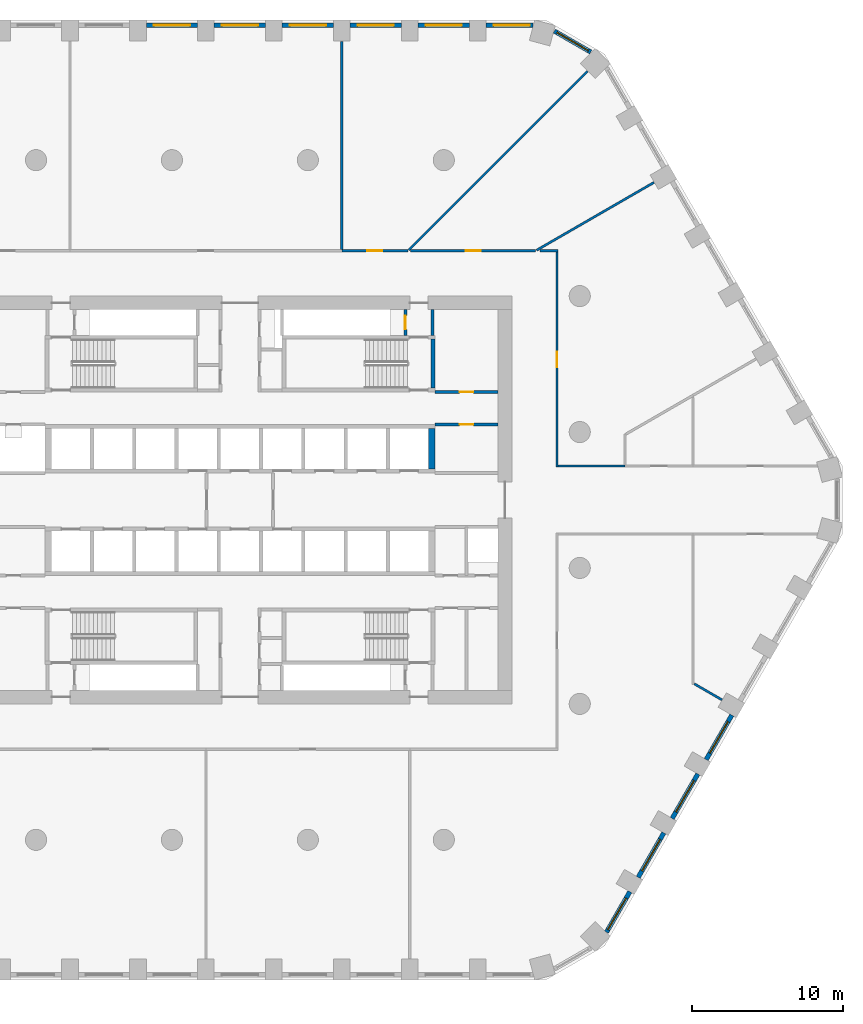
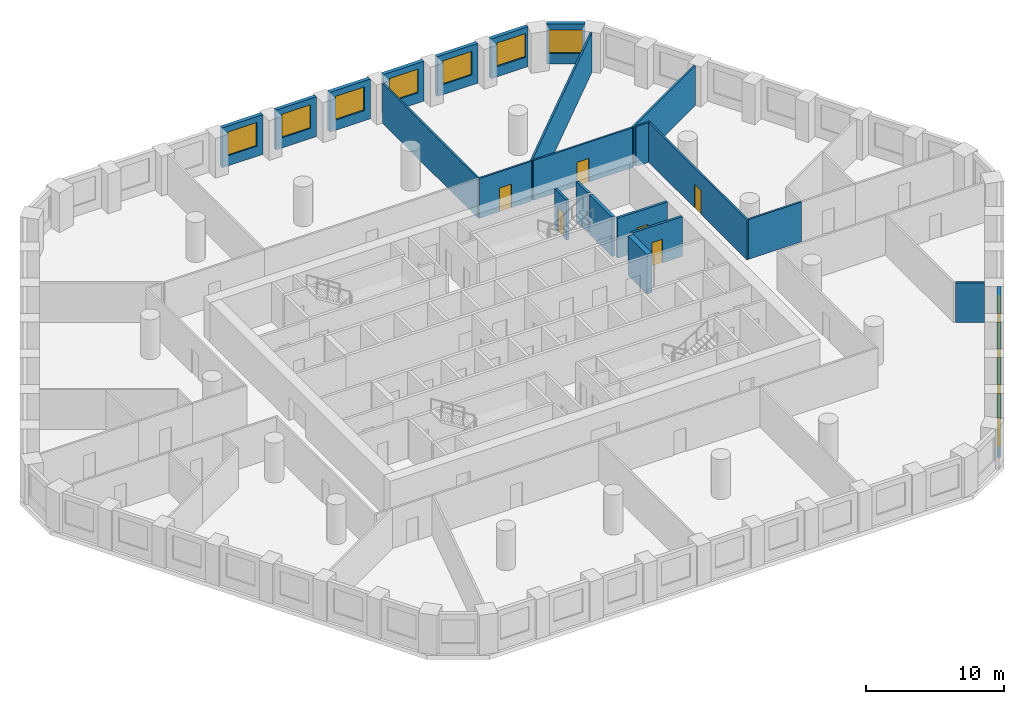
# One storey, part 7 of 10: 26 walls, 11 windows, 6 doors, 17 openings.
"""IFC4 building model written with IfcOpenShell, lengths in metres."""

from ifc_helpers import new_model, si_unit, direction, frame, frame_2d, origin, place, context, subcontext, project, spatial, polyline, rectangle, outline, extrude, material, layer, layer_set, type_object, element, fill, save


model = new_model("IFC4")

# Units and contexts
model_context = context("Model", 3, precision=1e-05, world=origin(), true_north=direction((0.0, 1.0)))
body_context = subcontext(model_context, "Body", "Model", "MODEL_VIEW")
ifc_project = project(units=[si_unit("LENGTHUNIT", "METRE"), si_unit("AREAUNIT", "SQUARE_METRE"), si_unit("VOLUMEUNIT", "CUBIC_METRE"), si_unit("PLANEANGLEUNIT", "RADIAN"), si_unit("MASSUNIT", "GRAM", prefix="KILO")], contexts=[model_context])

# Site, building, storey
site_placement = place(None, origin())
site = spatial("IfcSite", under=ifc_project, at=site_placement, CompositionType="ELEMENT")
building_placement = place(site_placement, origin())
building = spatial("IfcBuilding", under=site, at=building_placement, Name="Dhurran Vertical Campus", CompositionType="ELEMENT")
storey_placement = place(building_placement, frame((0.0, 0.0, 37.800048828125)))
storey = spatial("IfcBuildingStorey", under=building, at=storey_placement, Name="L08", CompositionType="ELEMENT", Elevation=37.800048828125)

# Wall, opening, window
ifc_material_1 = material(Name="Precast concrete C50/60", Category="concrete")
ifc_layer_1 = layer(ifc_material_1, 0.300048828125)
ifc_layer_set_1 = layer_set([ifc_layer_1], Name="Precast concrete C50/60")
wall_type_1 = type_object("IfcWallType", Name="Precast spandrel wall 300", PredefinedType="SOLIDWALL", material=ifc_layer_set_1)
wall_1_placement = place(storey_placement, frame((24.2734375, -28.611083984375, 0.0), z_axis=(0.0, 0.0, 1.0), x_axis=(0.499995950774, 0.866027741594, 0.0)))
wall_1 = element("IfcWall", 1, at=wall_1_placement, inside=storey, type_object=wall_type_1, Name="EW1 L08.10", PredefinedType="SOLIDWALL", context=body_context, shape_type="SweptSolid", body=[
    extrude(rectangle(XDim=3.0908203125, YDim=0.300048828125, at=frame_2d((1.54541015625, 0.0))), origin(), (0.0, 0.0, 1.0), 3.52490234375),
])
opening_1_placement = place(wall_1_placement, frame((0.191162109375, 0.0, 0.89990234375)))
opening_1 = element("IfcOpeningElement", 2, at=opening_1_placement, cuts=wall_1, Name="Opening WT1", PredefinedType="OPENING", context=body_context, shape_type="SweptSolid", body=[
    extrude(rectangle(XDim=2.39990234375, YDim=2.10009765625, at=frame_2d((1.199951171875, 1.050048828125))), frame((0.0, 0.159912109375, 0.0), z_axis=(0.0, -1.0, 0.0), x_axis=(1.0, 0.0, 0.0)), (0.0, 0.0, 1.0), 0.320068359375),
])
ifc_material_2 = material(Name="Aluminium frame with solar-control glass", Category="aluminium")
window_type = type_object("IfcWindowType", Name="Punched window 2400 x 2100", PartitioningType="SINGLE_PANEL", PredefinedType="WINDOW", material=ifc_material_2)
window_1_placement = place(opening_1_placement, origin())
window_1 = element("IfcWindow", 3, at=window_1_placement, inside=storey, type_object=window_type, Name="WT1 L08.10", OverallHeight=2.10009765625, OverallWidth=2.39990234375, PartitioningType="SINGLE_PANEL", PredefinedType="WINDOW", context=body_context, shape_type="SweptSolid", body=[
    extrude(rectangle(XDim=2.39990234375, YDim=2.10009765625, at=frame_2d((1.199951171875, 1.050048828125))), frame((0.0, 0.030029296875, 0.0), z_axis=(0.0, -1.0, 0.0), x_axis=(1.0, 0.0, 0.0)), (0.0, 0.0, 1.0), 0.06005859375),
])
fill(opening_1, window_1)

wall_2_placement = place(storey_placement, frame((26.369384765625, -24.98095703125, 0.0), z_axis=(0.0, 0.0, 1.0), x_axis=(0.499993955907, 0.866028893315, 0.0)))
wall_2 = element("IfcWall", 4, at=wall_2_placement, inside=storey, type_object=wall_type_1, Name="EW1 L08.11", PredefinedType="SOLIDWALL", context=body_context, shape_type="SweptSolid", body=[
    extrude(rectangle(XDim=3.39892578125, YDim=0.300048828125, at=frame_2d((1.699462890625, 0.0))), origin(), (0.0, 0.0, 1.0), 3.52490234375),
])
opening_2_placement = place(wall_2_placement, frame((0.49951171875, 0.0, 0.89990234375)))
opening_2 = element("IfcOpeningElement", 5, at=opening_2_placement, cuts=wall_2, Name="Opening WT1", PredefinedType="OPENING", context=body_context, shape_type="SweptSolid", body=[
    extrude(rectangle(XDim=2.39990234375, YDim=2.10009765625, at=frame_2d((1.199951171875, 1.050048828125))), frame((0.0, 0.159912109375, 0.0), z_axis=(0.0, -1.0, 0.0), x_axis=(1.0, 0.0, 0.0)), (0.0, 0.0, 1.0), 0.320068359375),
])
window_2_placement = place(opening_2_placement, origin())
window_2 = element("IfcWindow", 6, at=window_2_placement, inside=storey, type_object=window_type, Name="WT1 L08.11", OverallHeight=2.10009765625, OverallWidth=2.39990234375, PartitioningType="SINGLE_PANEL", PredefinedType="WINDOW", context=body_context, shape_type="SweptSolid", body=[
    extrude(rectangle(XDim=2.39990234375, YDim=2.10009765625, at=frame_2d((1.199951171875, 1.050048828125))), frame((0.0, 0.030029296875, 0.0), z_axis=(0.0, -1.0, 0.0), x_axis=(1.0, 0.0, 0.0)), (0.0, 0.0, 1.0), 0.06005859375),
])
fill(opening_2, window_2)

wall_3_placement = place(storey_placement, frame((28.619384765625, -21.083740234375, 0.0), z_axis=(0.0, 0.0, 1.0), x_axis=(0.499993955907, 0.866028893315, 0.0)))
wall_3 = element("IfcWall", 7, at=wall_3_placement, inside=storey, type_object=wall_type_1, Name="EW1 L08.12", PredefinedType="SOLIDWALL", context=body_context, shape_type="SweptSolid", body=[
    extrude(rectangle(XDim=3.39892578125, YDim=0.300048828125, at=frame_2d((1.699462890625, 0.0))), origin(), (0.0, 0.0, 1.0), 3.52490234375),
])
opening_3_placement = place(wall_3_placement, frame((0.49951171875, 0.0, 0.89990234375)))
opening_3 = element("IfcOpeningElement", 8, at=opening_3_placement, cuts=wall_3, Name="Opening WT1", PredefinedType="OPENING", context=body_context, shape_type="SweptSolid", body=[
    extrude(rectangle(XDim=2.39990234375, YDim=2.10009765625, at=frame_2d((1.199951171875, 1.050048828125))), frame((0.0, 0.159912109375, 0.0), z_axis=(0.0, -1.0, 0.0), x_axis=(1.0, 0.0, 0.0)), (0.0, 0.0, 1.0), 0.320068359375),
])
window_3_placement = place(opening_3_placement, origin())
window_3 = element("IfcWindow", 9, at=window_3_placement, inside=storey, type_object=window_type, Name="WT1 L08.12", OverallHeight=2.10009765625, OverallWidth=2.39990234375, PartitioningType="SINGLE_PANEL", PredefinedType="WINDOW", context=body_context, shape_type="SweptSolid", body=[
    extrude(rectangle(XDim=2.39990234375, YDim=2.10009765625, at=frame_2d((1.199951171875, 1.050048828125))), frame((0.0, 0.030029296875, 0.0), z_axis=(0.0, -1.0, 0.0), x_axis=(1.0, 0.0, 0.0)), (0.0, 0.0, 1.0), 0.06005859375),
])
fill(opening_3, window_3)

wall_4_placement = place(storey_placement, frame((30.869384765625, -17.186767578125, 0.0), z_axis=(0.0, 0.0, 1.0), x_axis=(0.499993955907, 0.866028893315, 0.0)))
wall_4 = element("IfcWall", 10, at=wall_4_placement, inside=storey, type_object=wall_type_1, Name="EW1 L08.13", PredefinedType="SOLIDWALL", context=body_context, shape_type="SweptSolid", body=[
    extrude(rectangle(XDim=3.39892578125, YDim=0.300048828125, at=frame_2d((1.699462890625, 0.0))), origin(), (0.0, 0.0, 1.0), 3.52490234375),
])
opening_4_placement = place(wall_4_placement, frame((0.49951171875, 0.0, 0.89990234375)))
opening_4 = element("IfcOpeningElement", 11, at=opening_4_placement, cuts=wall_4, Name="Opening WT1", PredefinedType="OPENING", context=body_context, shape_type="SweptSolid", body=[
    extrude(rectangle(XDim=2.39990234375, YDim=2.10009765625, at=frame_2d((1.199951171875, 1.050048828125))), frame((0.0, 0.159912109375, 0.0), z_axis=(0.0, -1.0, 0.0), x_axis=(1.0, 0.0, 0.0)), (0.0, 0.0, 1.0), 0.320068359375),
])
window_4_placement = place(opening_4_placement, origin())
window_4 = element("IfcWindow", 12, at=window_4_placement, inside=storey, type_object=window_type, Name="WT1 L08.13", OverallHeight=2.10009765625, OverallWidth=2.39990234375, PartitioningType="SINGLE_PANEL", PredefinedType="WINDOW", context=body_context, shape_type="SweptSolid", body=[
    extrude(rectangle(XDim=2.39990234375, YDim=2.10009765625, at=frame_2d((1.199951171875, 1.050048828125))), frame((0.0, 0.030029296875, 0.0), z_axis=(0.0, -1.0, 0.0), x_axis=(1.0, 0.0, 0.0)), (0.0, 0.0, 1.0), 0.06005859375),
])
fill(opening_4, window_4)

wall_5_placement = place(storey_placement, frame((23.228271484375, 29.656005859375, 0.0), z_axis=(0.0, 0.0, 1.0), x_axis=(-0.866020456713, 0.500008568482, 0.0)))
wall_5 = element("IfcWall", 13, at=wall_5_placement, inside=storey, type_object=wall_type_1, Name="EW1 L08.25", PredefinedType="SOLIDWALL", context=body_context, shape_type="SweptSolid", body=[
    extrude(rectangle(XDim=2.7822265625, YDim=0.300048828125, at=frame_2d((1.39111328125, 0.0))), origin(), (0.0, 0.0, 1.0), 3.52490234375),
])
opening_5_placement = place(wall_5_placement, frame((0.191162109375, 0.0, 0.89990234375)))
opening_5 = element("IfcOpeningElement", 14, at=opening_5_placement, cuts=wall_5, Name="Opening WT1", PredefinedType="OPENING", context=body_context, shape_type="SweptSolid", body=[
    extrude(rectangle(XDim=2.39990234375, YDim=2.10009765625, at=frame_2d((1.199951171875, 1.050048828125))), frame((0.0, 0.159912109375, 0.0), z_axis=(0.0, -1.0, 0.0), x_axis=(1.0, 0.0, 0.0)), (0.0, 0.0, 1.0), 0.320068359375),
])
window_5_placement = place(opening_5_placement, origin())
window_5 = element("IfcWindow", 15, at=window_5_placement, inside=storey, type_object=window_type, Name="WT1 L08.25", OverallHeight=2.10009765625, OverallWidth=2.39990234375, PartitioningType="SINGLE_PANEL", PredefinedType="WINDOW", context=body_context, shape_type="SweptSolid", body=[
    extrude(rectangle(XDim=2.39990234375, YDim=2.10009765625, at=frame_2d((1.199951171875, 1.050048828125))), frame((0.0, 0.030029296875, 0.0), z_axis=(0.0, -1.0, 0.0), x_axis=(1.0, 0.0, 0.0)), (0.0, 0.0, 1.0), 0.06005859375),
])
fill(opening_5, window_5)

wall_6_placement = place(storey_placement, frame((19.39111328125, 31.4296875, 0.0), z_axis=(0.0, 0.0, 1.0), x_axis=(-1.0, 0.0, 0.0)))
wall_6 = element("IfcWall", 16, at=wall_6_placement, inside=storey, type_object=wall_type_1, Name="EW1 L08.26", PredefinedType="SOLIDWALL", context=body_context, shape_type="SweptSolid", body=[
    extrude(rectangle(XDim=3.090576171875, YDim=0.300048828125, at=frame_2d((1.54541015625, 0.0))), origin(), (0.0, 0.0, 1.0), 3.52490234375),
])
opening_6_placement = place(wall_6_placement, frame((0.191162109375, 0.0, 0.89990234375)))
opening_6 = element("IfcOpeningElement", 17, at=opening_6_placement, cuts=wall_6, Name="Opening WT1", PredefinedType="OPENING", context=body_context, shape_type="SweptSolid", body=[
    extrude(rectangle(XDim=2.39990234375, YDim=2.10009765625, at=frame_2d((1.199951171875, 1.050048828125))), frame((0.0, 0.159912109375, 0.0), z_axis=(0.0, -1.0, 0.0), x_axis=(1.0, 0.0, 0.0)), (0.0, 0.0, 1.0), 0.320068359375),
])
window_6_placement = place(opening_6_placement, origin())
window_6 = element("IfcWindow", 18, at=window_6_placement, inside=storey, type_object=window_type, Name="WT1 L08.26", OverallHeight=2.10009765625, OverallWidth=2.39990234375, PartitioningType="SINGLE_PANEL", PredefinedType="WINDOW", context=body_context, shape_type="SweptSolid", body=[
    extrude(rectangle(XDim=2.39990234375, YDim=2.10009765625, at=frame_2d((1.199951171875, 1.050048828125))), frame((0.0, 0.030029296875, 0.0), z_axis=(0.0, -1.0, 0.0), x_axis=(1.0, 0.0, 0.0)), (0.0, 0.0, 1.0), 0.06005859375),
])
fill(opening_6, window_6)

wall_7_placement = place(storey_placement, frame((15.199462890625, 31.4296875, 0.0), z_axis=(0.0, 0.0, 1.0), x_axis=(-1.0, 0.0, 0.0)))
wall_7 = element("IfcWall", 19, at=wall_7_placement, inside=storey, type_object=wall_type_1, Name="EW1 L08.27", PredefinedType="SOLIDWALL", context=body_context, shape_type="SweptSolid", body=[
    extrude(rectangle(XDim=3.39892578125, YDim=0.300048828125, at=frame_2d((1.699462890625, 0.0))), origin(), (0.0, 0.0, 1.0), 3.52490234375),
])
opening_7_placement = place(wall_7_placement, frame((0.49951171875, 0.0, 0.89990234375)))
opening_7 = element("IfcOpeningElement", 20, at=opening_7_placement, cuts=wall_7, Name="Opening WT1", PredefinedType="OPENING", context=body_context, shape_type="SweptSolid", body=[
    extrude(rectangle(XDim=2.39990234375, YDim=2.10009765625, at=frame_2d((1.199951171875, 1.050048828125))), frame((0.0, 0.159912109375, 0.0), z_axis=(0.0, -1.0, 0.0), x_axis=(1.0, 0.0, 0.0)), (0.0, 0.0, 1.0), 0.320068359375),
])
window_7_placement = place(opening_7_placement, origin())
window_7 = element("IfcWindow", 21, at=window_7_placement, inside=storey, type_object=window_type, Name="WT1 L08.27", OverallHeight=2.10009765625, OverallWidth=2.39990234375, PartitioningType="SINGLE_PANEL", PredefinedType="WINDOW", context=body_context, shape_type="SweptSolid", body=[
    extrude(rectangle(XDim=2.39990234375, YDim=2.10009765625, at=frame_2d((1.199951171875, 1.050048828125))), frame((0.0, 0.030029296875, 0.0), z_axis=(0.0, -1.0, 0.0), x_axis=(1.0, 0.0, 0.0)), (0.0, 0.0, 1.0), 0.06005859375),
])
fill(opening_7, window_7)

wall_8_placement = place(storey_placement, frame((10.699462890625, 31.4296875, 0.0), z_axis=(0.0, 0.0, 1.0), x_axis=(-1.0, 0.0, 0.0)))
wall_8 = element("IfcWall", 22, at=wall_8_placement, inside=storey, type_object=wall_type_1, Name="EW1 L08.28", PredefinedType="SOLIDWALL", context=body_context, shape_type="SweptSolid", body=[
    extrude(rectangle(XDim=3.39892578125, YDim=0.300048828125, at=frame_2d((1.699462890625, 0.0))), origin(), (0.0, 0.0, 1.0), 3.52490234375),
])
opening_8_placement = place(wall_8_placement, frame((0.49951171875, 0.0, 0.89990234375)))
opening_8 = element("IfcOpeningElement", 23, at=opening_8_placement, cuts=wall_8, Name="Opening WT1", PredefinedType="OPENING", context=body_context, shape_type="SweptSolid", body=[
    extrude(rectangle(XDim=2.39990234375, YDim=2.10009765625, at=frame_2d((1.199951171875, 1.050048828125))), frame((0.0, 0.159912109375, 0.0), z_axis=(0.0, -1.0, 0.0), x_axis=(1.0, 0.0, 0.0)), (0.0, 0.0, 1.0), 0.320068359375),
])
window_8_placement = place(opening_8_placement, origin())
window_8 = element("IfcWindow", 24, at=window_8_placement, inside=storey, type_object=window_type, Name="WT1 L08.28", OverallHeight=2.10009765625, OverallWidth=2.39990234375, PartitioningType="SINGLE_PANEL", PredefinedType="WINDOW", context=body_context, shape_type="SweptSolid", body=[
    extrude(rectangle(XDim=2.39990234375, YDim=2.10009765625, at=frame_2d((1.199951171875, 1.050048828125))), frame((0.0, 0.030029296875, 0.0), z_axis=(0.0, -1.0, 0.0), x_axis=(1.0, 0.0, 0.0)), (0.0, 0.0, 1.0), 0.06005859375),
])
fill(opening_8, window_8)

wall_9_placement = place(storey_placement, frame((6.199462890625, 31.4296875, 0.0), z_axis=(0.0, 0.0, 1.0), x_axis=(-1.0, 0.0, 0.0)))
wall_9 = element("IfcWall", 25, at=wall_9_placement, inside=storey, type_object=wall_type_1, Name="EW1 L08.29", PredefinedType="SOLIDWALL", context=body_context, shape_type="SweptSolid", body=[
    extrude(rectangle(XDim=3.39892578125, YDim=0.300048828125, at=frame_2d((1.699462890625, 0.0))), origin(), (0.0, 0.0, 1.0), 3.52490234375),
])
opening_9_placement = place(wall_9_placement, frame((0.49951171875, 0.0, 0.89990234375)))
opening_9 = element("IfcOpeningElement", 26, at=opening_9_placement, cuts=wall_9, Name="Opening WT1", PredefinedType="OPENING", context=body_context, shape_type="SweptSolid", body=[
    extrude(rectangle(XDim=2.39990234375, YDim=2.10009765625, at=frame_2d((1.199951171875, 1.050048828125))), frame((0.0, 0.159912109375, 0.0), z_axis=(0.0, -1.0, 0.0), x_axis=(1.0, 0.0, 0.0)), (0.0, 0.0, 1.0), 0.320068359375),
])
window_9_placement = place(opening_9_placement, origin())
window_9 = element("IfcWindow", 27, at=window_9_placement, inside=storey, type_object=window_type, Name="WT1 L08.29", OverallHeight=2.10009765625, OverallWidth=2.39990234375, PartitioningType="SINGLE_PANEL", PredefinedType="WINDOW", context=body_context, shape_type="SweptSolid", body=[
    extrude(rectangle(XDim=2.39990234375, YDim=2.10009765625, at=frame_2d((1.199951171875, 1.050048828125))), frame((0.0, 0.030029296875, 0.0), z_axis=(0.0, -1.0, 0.0), x_axis=(1.0, 0.0, 0.0)), (0.0, 0.0, 1.0), 0.06005859375),
])
fill(opening_9, window_9)

wall_10_placement = place(storey_placement, frame((1.699462890625, 31.4296875, 0.0), z_axis=(0.0, 0.0, 1.0), x_axis=(-1.0, 0.0, 0.0)))
wall_10 = element("IfcWall", 28, at=wall_10_placement, inside=storey, type_object=wall_type_1, Name="EW1 L08.30", PredefinedType="SOLIDWALL", context=body_context, shape_type="SweptSolid", body=[
    extrude(rectangle(XDim=3.39892578125, YDim=0.300048828125, at=frame_2d((1.699462890625, 0.0))), origin(), (0.0, 0.0, 1.0), 3.52490234375),
])
opening_10_placement = place(wall_10_placement, frame((0.49951171875, 0.0, 0.89990234375)))
opening_10 = element("IfcOpeningElement", 29, at=opening_10_placement, cuts=wall_10, Name="Opening WT1", PredefinedType="OPENING", context=body_context, shape_type="SweptSolid", body=[
    extrude(rectangle(XDim=2.39990234375, YDim=2.10009765625, at=frame_2d((1.199951171875, 1.050048828125))), frame((0.0, 0.159912109375, 0.0), z_axis=(0.0, -1.0, 0.0), x_axis=(1.0, 0.0, 0.0)), (0.0, 0.0, 1.0), 0.320068359375),
])
window_10_placement = place(opening_10_placement, origin())
window_10 = element("IfcWindow", 30, at=window_10_placement, inside=storey, type_object=window_type, Name="WT1 L08.30", OverallHeight=2.10009765625, OverallWidth=2.39990234375, PartitioningType="SINGLE_PANEL", PredefinedType="WINDOW", context=body_context, shape_type="SweptSolid", body=[
    extrude(rectangle(XDim=2.39990234375, YDim=2.10009765625, at=frame_2d((1.199951171875, 1.050048828125))), frame((0.0, 0.030029296875, 0.0), z_axis=(0.0, -1.0, 0.0), x_axis=(1.0, 0.0, 0.0)), (0.0, 0.0, 1.0), 0.06005859375),
])
fill(opening_10, window_10)

wall_11_placement = place(storey_placement, frame((-2.800537109375, 31.4296875, 0.0), z_axis=(0.0, 0.0, 1.0), x_axis=(-1.0, 0.0, 0.0)))
wall_11 = element("IfcWall", 31, at=wall_11_placement, inside=storey, type_object=wall_type_1, Name="EW1 L08.31", PredefinedType="SOLIDWALL", context=body_context, shape_type="SweptSolid", body=[
    extrude(rectangle(XDim=3.39892578125, YDim=0.300048828125, at=frame_2d((1.699462890625, 0.0))), origin(), (0.0, 0.0, 1.0), 3.52490234375),
])
opening_11_placement = place(wall_11_placement, frame((0.49951171875, 0.0, 0.89990234375)))
opening_11 = element("IfcOpeningElement", 32, at=opening_11_placement, cuts=wall_11, Name="Opening WT1", PredefinedType="OPENING", context=body_context, shape_type="SweptSolid", body=[
    extrude(rectangle(XDim=2.39990234375, YDim=2.10009765625, at=frame_2d((1.199951171875, 1.050048828125))), frame((0.0, 0.159912109375, 0.0), z_axis=(0.0, -1.0, 0.0), x_axis=(1.0, 0.0, 0.0)), (0.0, 0.0, 1.0), 0.320068359375),
])
window_11_placement = place(opening_11_placement, origin())
window_11 = element("IfcWindow", 33, at=window_11_placement, inside=storey, type_object=window_type, Name="WT1 L08.31", OverallHeight=2.10009765625, OverallWidth=2.39990234375, PartitioningType="SINGLE_PANEL", PredefinedType="WINDOW", context=body_context, shape_type="SweptSolid", body=[
    extrude(rectangle(XDim=2.39990234375, YDim=2.10009765625, at=frame_2d((1.199951171875, 1.050048828125))), frame((0.0, 0.030029296875, 0.0), z_axis=(0.0, -1.0, 0.0), x_axis=(1.0, 0.0, 0.0)), (0.0, 0.0, 1.0), 0.06005859375),
])
fill(opening_11, window_11)

# Wall
ifc_material_3 = material(Name="Fire-rated masonry blockwork", Category="masonry")
ifc_layer_2 = layer(ifc_material_3, 0.199951171875)
ifc_layer_set_2 = layer_set([ifc_layer_2], Name="Fire-rated masonry blockwork")
wall_type_2 = type_object("IfcWallType", Name="co-FIRE-PARTITION-200", PredefinedType="PARTITIONING", material=ifc_layer_set_2)
wall_12_placement = place(storey_placement, frame((12.75, 10.89990234375, 0.0), z_axis=(0.0, 0.0, 1.0), x_axis=(0.0, 1.0, 0.0)))
element("IfcWall", 34, at=wall_12_placement, inside=storey, type_object=wall_type_2, Name="Core partition pass-ST2-o L08", PredefinedType="PARTITIONING", context=body_context, shape_type="SweptSolid", body=[
    extrude(rectangle(XDim=1.7001953125, YDim=0.199951171875, at=frame_2d((0.85009765625, 0.0))), origin(), (0.0, 0.0, 1.0), 3.52490234375),
])

# Wall, opening, door
wall_13_placement = place(storey_placement, frame((10.949951171875, 10.89990234375, 0.0), z_axis=(0.0, 0.0, 1.0), x_axis=(0.0, 1.0, 0.0)))
wall_13 = element("IfcWall", 35, at=wall_13_placement, inside=storey, type_object=wall_type_2, Name="Core partition pass-ST2-i L08", PredefinedType="PARTITIONING", context=body_context, shape_type="SweptSolid", body=[
    extrude(rectangle(XDim=1.7001953125, YDim=0.199951171875, at=frame_2d((0.85009765625, 0.0))), origin(), (0.0, 0.0, 1.0), 3.52490234375),
])
opening_12_placement = place(wall_13_placement, frame((0.39990234375, 0.0, 0.0)))
opening_12 = element("IfcOpeningElement", 36, at=opening_12_placement, cuts=wall_13, Name="Opening T01-C10", PredefinedType="OPENING", context=body_context, shape_type="SweptSolid", body=[
    extrude(rectangle(XDim=0.89990234375, YDim=2.10009765625, at=frame_2d((0.449951171875, 1.050048828125))), frame((0.0, 0.10986328125, 0.0), z_axis=(0.0, -1.0, 0.0), x_axis=(1.0, 0.0, 0.0)), (0.0, 0.0, 1.0), 0.219970703125),
])
ifc_material_4 = material(Name="Fire-rated timber door set", Category="wood")
door_type_1 = type_object("IfcDoorType", Name="co-D-ROOM 900x2100", OperationType="SINGLE_SWING_LEFT", PredefinedType="DOOR", material=ifc_material_4)
door_1_placement = place(opening_12_placement, origin())
door_1 = element("IfcDoor", 37, at=door_1_placement, inside=storey, type_object=door_type_1, Name="Riser room door L08", OperationType="SINGLE_SWING_LEFT", OverallHeight=2.10009765625, OverallWidth=0.89990234375, PredefinedType="DOOR", context=body_context, shape_type="SweptSolid", body=[
    extrude(rectangle(XDim=0.89990234375, YDim=2.10009765625, at=frame_2d((0.449951171875, 1.050048828125))), frame((0.0, 0.02490234375, 0.0), z_axis=(0.0, -1.0, 0.0), x_axis=(1.0, 0.0, 0.0)), (0.0, 0.0, 1.0), 0.050048828125),
])
fill(opening_12, door_1)

wall_14_placement = place(storey_placement, frame((12.89990234375, 7.14990234375, 0.0), z_axis=(0.0, 0.0, 1.0), x_axis=(1.0, 0.0, 0.0)))
wall_14 = element("IfcWall", 38, at=wall_14_placement, inside=storey, type_object=wall_type_2, Name="Core partition en-NE-w L08", PredefinedType="PARTITIONING", context=body_context, shape_type="SweptSolid", body=[
    extrude(rectangle(XDim=4.2001953125, YDim=0.199951171875, at=frame_2d((2.10009765625, 0.0))), origin(), (0.0, 0.0, 1.0), 3.52490234375),
])
opening_13_placement = place(wall_14_placement, frame((1.64990234375, 0.0, 0.0)))
opening_13 = element("IfcOpeningElement", 39, at=opening_13_placement, cuts=wall_14, Name="Opening T01-C15", PredefinedType="OPENING", context=body_context, shape_type="SweptSolid", body=[
    extrude(rectangle(XDim=0.89990234375, YDim=2.10009765625, at=frame_2d((0.449951171875, 1.050048828125))), frame((0.0, 0.10986328125, 0.0), z_axis=(0.0, -1.0, 0.0), x_axis=(1.0, 0.0, 0.0)), (0.0, 0.0, 1.0), 0.219970703125),
])
door_2_placement = place(opening_13_placement, origin())
door_2 = element("IfcDoor", 40, at=door_2_placement, inside=storey, type_object=door_type_1, Name="Plant room door L08", OperationType="SINGLE_SWING_LEFT", OverallHeight=2.10009765625, OverallWidth=0.89990234375, PredefinedType="DOOR", context=body_context, shape_type="SweptSolid", body=[
    extrude(rectangle(XDim=0.89990234375, YDim=2.10009765625, at=frame_2d((0.449951171875, 1.050048828125))), frame((0.0, 0.02490234375, 0.0), z_axis=(0.0, -1.0, 0.0), x_axis=(1.0, 0.0, 0.0)), (0.0, 0.0, 1.0), 0.050048828125),
])
fill(opening_13, door_2)

wall_15_placement = place(storey_placement, frame((12.89990234375, 5.0, 0.0), z_axis=(0.0, 0.0, 1.0), x_axis=(1.0, 0.0, 0.0)))
wall_15 = element("IfcWall", 41, at=wall_15_placement, inside=storey, type_object=wall_type_2, Name="Core partition es-NE-w L08", PredefinedType="PARTITIONING", context=body_context, shape_type="SweptSolid", body=[
    extrude(rectangle(XDim=4.2001953125, YDim=0.199951171875, at=frame_2d((2.10009765625, 0.0))), origin(), (0.0, 0.0, 1.0), 3.52490234375),
])
opening_14_placement = place(wall_15_placement, frame((1.64990234375, 0.0, 0.0)))
opening_14 = element("IfcOpeningElement", 42, at=opening_14_placement, cuts=wall_15, Name="Opening T01-C16", PredefinedType="OPENING", context=body_context, shape_type="SweptSolid", body=[
    extrude(rectangle(XDim=0.89990234375, YDim=2.10009765625, at=frame_2d((0.449951171875, 1.050048828125))), frame((0.0, 0.10986328125, 0.0), z_axis=(0.0, -1.0, 0.0), x_axis=(1.0, 0.0, 0.0)), (0.0, 0.0, 1.0), 0.219970703125),
])
door_3_placement = place(opening_14_placement, origin())
door_3 = element("IfcDoor", 43, at=door_3_placement, inside=storey, type_object=door_type_1, Name="Store door L08", OperationType="SINGLE_SWING_LEFT", OverallHeight=2.10009765625, OverallWidth=0.89990234375, PredefinedType="DOOR", context=body_context, shape_type="SweptSolid", body=[
    extrude(rectangle(XDim=0.89990234375, YDim=2.10009765625, at=frame_2d((0.449951171875, 1.050048828125))), frame((0.0, 0.02490234375, 0.0), z_axis=(0.0, -1.0, 0.0), x_axis=(1.0, 0.0, 0.0)), (0.0, 0.0, 1.0), 0.050048828125),
])
fill(opening_14, door_3)

# Walls
ifc_material_5 = material(Name="Concrete C50/60", Category="concrete")
ifc_layer_3 = layer(ifc_material_5, 0.25)
ifc_layer_set_3 = layer_set([ifc_layer_3], Name="Concrete C50/60")
wall_type_3 = type_object("IfcWallType", Name="co-SHAFT-MASS-250", PredefinedType="SHEAR", material=ifc_layer_set_3)
wall_16_placement = place(storey_placement, origin())
element("IfcWall", 44, at=wall_16_placement, inside=storey, type_object=wall_type_3, Name="Lift shaft wall N L08 11", PredefinedType="SHEAR", context=body_context, shape_type="SweptSolid", body=[
    extrude(outline(polyline([(12.47509765625, 2.050048828125), (12.89990234375, 2.050048828125), (12.89990234375, 4.75), (12.47509765625, 4.75), (12.47509765625, 2.050048828125)])), origin(), (0.0, 0.0, 1.0), 3.52490234375),
])
ifc_material_6 = material(Name="Concrete C40/50", Category="concrete")
ifc_layer_4 = layer(ifc_material_6, 0.25)
ifc_layer_set_4 = layer_set([ifc_layer_4], Name="Concrete C40/50")
wall_type_4 = type_object("IfcWallType", Name="co-STAIR-WALL-250", PredefinedType="SHEAR", material=ifc_layer_set_4)
wall_17_placement = place(storey_placement, frame((12.77490234375, 7.39990234375, 0.0), z_axis=(0.0, 0.0, 1.0), x_axis=(0.0, 1.0, 0.0)))
element("IfcWall", 45, at=wall_17_placement, inside=storey, type_object=wall_type_4, Name="Stair ST2 enclosure wall L08", PredefinedType="SHEAR", context=body_context, shape_type="SweptSolid", body=[
    extrude(rectangle(XDim=3.25, YDim=0.25, at=frame_2d((1.625, 0.0))), origin(), (0.0, 0.0, 1.0), 3.52490234375),
])

# Wall, opening, door
ifc_material_7 = material(Name="Gypsum board corridor wall on steel studs", Category="steel")
ifc_layer_5 = layer(ifc_material_7, 0.14990234375)
ifc_layer_set_5 = layer_set([ifc_layer_5], Name="Gypsum board corridor wall on steel studs")
wall_type_5 = type_object("IfcWallType", Name="fl-CW-150 corridor wall", PredefinedType="PARTITIONING", material=ifc_layer_set_5)
wall_18_placement = place(storey_placement, frame((11.116943359375, 16.5, 0.0), z_axis=(0.0, 0.0, 1.0), x_axis=(-1.0, 0.0, 0.0)))
wall_18 = element("IfcWall", 46, at=wall_18_placement, inside=storey, type_object=wall_type_5, Name="Partition 08-30", PredefinedType="PARTITIONING", context=body_context, shape_type="SweptSolid", body=[
    extrude(rectangle(XDim=4.366943359375, YDim=0.14990234375, at=frame_2d((2.18359375, 0.0))), origin(), (0.0, 0.0, 1.0), 3.52490234375),
])
opening_15_placement = place(wall_18_placement, frame((1.68359375, 0.0, 0.0)))
opening_15 = element("IfcOpeningElement", 47, at=opening_15_placement, cuts=wall_18, Name="Opening T01.12", PredefinedType="OPENING", context=body_context, shape_type="SweptSolid", body=[
    extrude(rectangle(XDim=1.0, YDim=2.10009765625, at=frame_2d((0.5, 1.050048828125))), frame((0.0, 0.0849609375, 0.0), z_axis=(0.0, -1.0, 0.0), x_axis=(1.0, 0.0, 0.0)), (0.0, 0.0, 1.0), 0.169921875),
])
ifc_material_8 = material(Name="Solid-core timber door set, fire-rated", Category="wood")
door_type_2 = type_object("IfcDoorType", Name="fl-D-1000x2100", OperationType="SINGLE_SWING_LEFT", PredefinedType="DOOR", material=ifc_material_8)
door_4_placement = place(opening_15_placement, origin())
door_4 = element("IfcDoor", 48, at=door_4_placement, inside=storey, type_object=door_type_2, Name="Door 08.12", OperationType="SINGLE_SWING_LEFT", OverallHeight=2.10009765625, OverallWidth=1.0, PredefinedType="DOOR", context=body_context, shape_type="SweptSolid", body=[
    extrude(rectangle(XDim=1.0, YDim=2.10009765625, at=frame_2d((0.5, 1.050048828125))), frame((0.0, 0.02490234375, 0.0), z_axis=(0.0, -1.0, 0.0), x_axis=(1.0, 0.0, 0.0)), (0.0, 0.0, 1.0), 0.050048828125),
])
fill(opening_15, door_4)

wall_19_placement = place(storey_placement, frame((19.5791015625, 16.5, 0.0), z_axis=(0.0, 0.0, 1.0), x_axis=(-1.0, 0.0, 0.0)))
wall_19 = element("IfcWall", 49, at=wall_19_placement, inside=storey, type_object=wall_type_5, Name="Partition 08-31", PredefinedType="PARTITIONING", context=body_context, shape_type="SweptSolid", body=[
    extrude(rectangle(XDim=8.287109375, YDim=0.14990234375, at=frame_2d((4.1435546875, 0.0))), origin(), (0.0, 0.0, 1.0), 3.52490234375),
])
opening_16_placement = place(wall_19_placement, frame((3.6435546875, 0.0, 0.0)))
opening_16 = element("IfcOpeningElement", 50, at=opening_16_placement, cuts=wall_19, Name="Opening T01.13", PredefinedType="OPENING", context=body_context, shape_type="SweptSolid", body=[
    extrude(rectangle(XDim=1.0, YDim=2.10009765625, at=frame_2d((0.5, 1.050048828125))), frame((0.0, 0.0849609375, 0.0), z_axis=(0.0, -1.0, 0.0), x_axis=(1.0, 0.0, 0.0)), (0.0, 0.0, 1.0), 0.169921875),
])
door_5_placement = place(opening_16_placement, origin())
door_5 = element("IfcDoor", 51, at=door_5_placement, inside=storey, type_object=door_type_2, Name="Door 08.13", OperationType="SINGLE_SWING_RIGHT", OverallHeight=2.10009765625, OverallWidth=1.0, PredefinedType="DOOR", context=body_context, shape_type="SweptSolid", body=[
    extrude(rectangle(XDim=1.0, YDim=2.10009765625, at=frame_2d((0.5, 1.050048828125))), frame((0.0, 0.02490234375, 0.0), z_axis=(0.0, -1.0, 0.0), x_axis=(1.0, 0.0, 0.0)), (0.0, 0.0, 1.0), 0.050048828125),
])
fill(opening_16, door_5)

# Wall
wall_20_placement = place(storey_placement, frame((21.074951171875, 16.5, 0.0), z_axis=(0.0, 0.0, 1.0), x_axis=(-1.0, 0.0, 0.0)))
element("IfcWall", 52, at=wall_20_placement, inside=storey, type_object=wall_type_5, Name="Partition 08-35", PredefinedType="PARTITIONING", context=body_context, shape_type="SweptSolid", body=[
    extrude(rectangle(XDim=1.220947265625, YDim=0.14990234375, at=frame_2d((0.6103515625, 0.0))), origin(), (0.0, 0.0, 1.0), 3.52490234375),
])

# Wall, opening, door
wall_21_placement = place(storey_placement, frame((21.0, 2.175048828125, 0.0), z_axis=(0.0, 0.0, 1.0), x_axis=(0.0, 1.0, 0.0)))
wall_21 = element("IfcWall", 53, at=wall_21_placement, inside=storey, type_object=wall_type_5, Name="Partition 08-39", PredefinedType="PARTITIONING", context=body_context, shape_type="SweptSolid", body=[
    extrude(rectangle(XDim=14.25, YDim=0.14990234375, at=frame_2d((7.125, 0.0))), origin(), (0.0, 0.0, 1.0), 3.52490234375),
])
opening_17_placement = place(wall_21_placement, frame((6.625, 0.0, 0.0)))
opening_17 = element("IfcOpeningElement", 54, at=opening_17_placement, cuts=wall_21, Name="Opening T01.15", PredefinedType="OPENING", context=body_context, shape_type="SweptSolid", body=[
    extrude(rectangle(XDim=1.0, YDim=2.10009765625, at=frame_2d((0.5, 1.050048828125))), frame((0.0, 0.0849609375, 0.0), z_axis=(0.0, -1.0, 0.0), x_axis=(1.0, 0.0, 0.0)), (0.0, 0.0, 1.0), 0.169921875),
])
door_6_placement = place(opening_17_placement, origin())
door_6 = element("IfcDoor", 55, at=door_6_placement, inside=storey, type_object=door_type_2, Name="Door 08.15", OperationType="SINGLE_SWING_LEFT", OverallHeight=2.10009765625, OverallWidth=1.0, PredefinedType="DOOR", context=body_context, shape_type="SweptSolid", body=[
    extrude(rectangle(XDim=1.0, YDim=2.10009765625, at=frame_2d((0.5, 1.050048828125))), frame((0.0, 0.02490234375, 0.0), z_axis=(0.0, -1.0, 0.0), x_axis=(1.0, 0.0, 0.0)), (0.0, 0.0, 1.0), 0.050048828125),
])
fill(opening_17, door_6)

# Walls
wall_22_placement = place(storey_placement, frame((21.074951171875, 2.25, 0.0), z_axis=(0.0, 0.0, 1.0), x_axis=(1.0, 0.0, 0.0)))
element("IfcWall", 56, at=wall_22_placement, inside=storey, type_object=wall_type_5, Name="Partition 08-40", PredefinedType="PARTITIONING", context=body_context, shape_type="SweptSolid", body=[
    extrude(rectangle(XDim=4.425048828125, YDim=0.14990234375, at=frame_2d((2.21240234375, 0.0))), origin(), (0.0, 0.0, 1.0), 3.52490234375),
])
ifc_material_9 = material(Name="Gypsum board partition on steel studs", Category="steel")
ifc_layer_6 = layer(ifc_material_9, 0.14990234375)
ifc_layer_set_6 = layer_set([ifc_layer_6], Name="Gypsum board partition on steel studs")
wall_type_6 = type_object("IfcWallType", Name="fl-PW-150 fixed partition", PredefinedType="PARTITIONING", material=ifc_layer_set_6)
wall_23_placement = place(storey_placement, frame((6.75, 30.35986328125, 0.0), z_axis=(0.0, 0.0, 1.0), x_axis=(0.0, -1.0, 0.0)))
element("IfcWall", 57, at=wall_23_placement, inside=storey, type_object=wall_type_6, Name="Partition 08-29", PredefinedType="PARTITIONING", context=body_context, shape_type="SweptSolid", body=[
    extrude(rectangle(XDim=13.784912109375, YDim=0.14990234375, at=frame_2d((6.892578125, 0.0))), origin(), (0.0, 0.0, 1.0), 3.52490234375),
])
wall_24_placement = place(storey_placement, frame((23.01025390625, 28.393310546875, 0.0), z_axis=(0.0, 0.0, 1.0), x_axis=(-0.707106781187, -0.707106781187, 0.0)))
element("IfcWall", 58, at=wall_24_placement, inside=storey, type_object=wall_type_6, Name="Partition 08-32", PredefinedType="PARTITIONING", context=body_context, shape_type="SweptSolid", body=[
    extrude(rectangle(XDim=16.744873046875, YDim=0.14990234375, at=frame_2d((8.37255859375, 0.0))), origin(), (0.0, 0.0, 1.0), 3.52490234375),
])
wall_25_placement = place(storey_placement, frame((27.4169921875, 21.02587890625, 0.0), z_axis=(0.0, 0.0, 1.0), x_axis=(-0.866004853516, -0.500035592419, 0.0)))
element("IfcWall", 59, at=wall_25_placement, inside=storey, type_object=wall_type_6, Name="Partition 08-36", PredefinedType="PARTITIONING", context=body_context, shape_type="SweptSolid", body=[
    extrude(rectangle(XDim=8.975830078125, YDim=0.14990234375, at=frame_2d((4.48779296875, 0.0))), origin(), (0.0, 0.0, 1.0), 3.52490234375),
])
wall_26_placement = place(storey_placement, frame((30.086669921875, -12.174072265625, 0.0), z_axis=(0.0, 0.0, 1.0), x_axis=(0.866002883922, -0.500039003518, 0.0)))
element("IfcWall", 60, at=wall_26_placement, inside=storey, type_object=wall_type_6, Name="Partition 08-45", PredefinedType="PARTITIONING", context=body_context, shape_type="SweptSolid", body=[
    extrude(rectangle(XDim=2.114013671875, YDim=0.14990234375, at=frame_2d((1.05712890625, 0.0))), origin(), (0.0, 0.0, 1.0), 3.52490234375),
])

save(model, "model.ifc")
